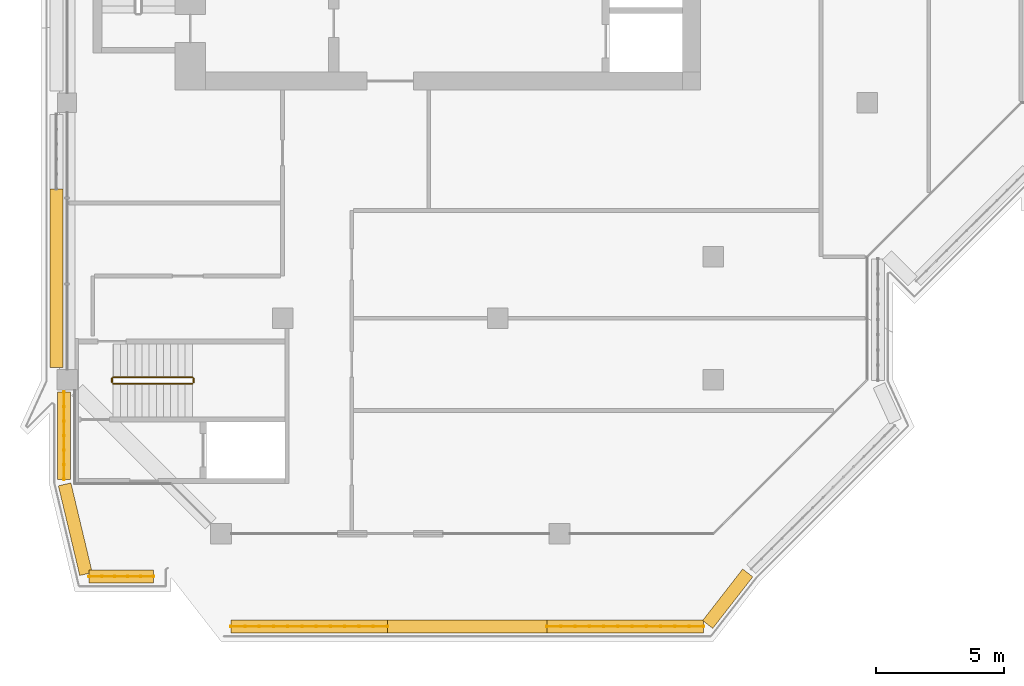
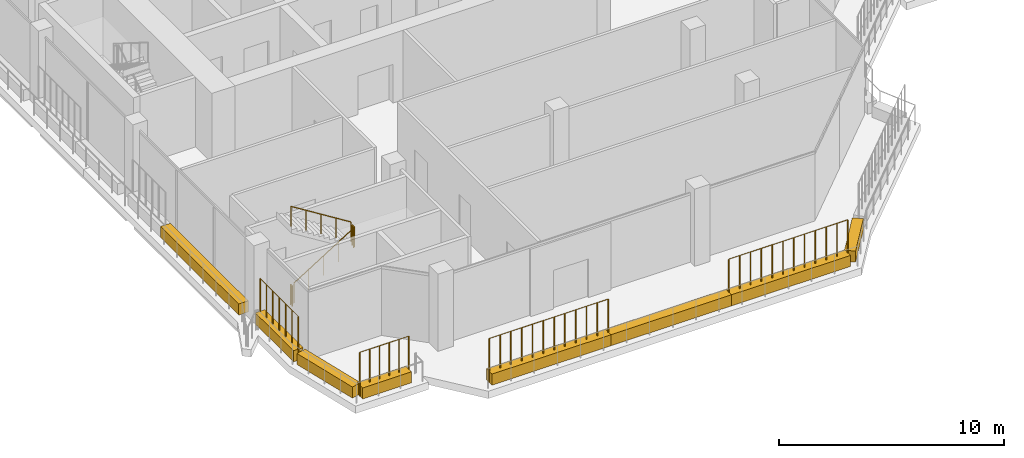
# One storey, part 14 of 20: 8 coverings, 8 railings.
"""IFC4 building model written with IfcOpenShell, lengths in metres."""

from ifc_helpers import new_model, si_unit, direction, frame, origin, origin_2d, place, context, subcontext, project, spatial, rectangle, circle, extrude, material, material_profile, profile_set, type_object, element, save


model = new_model("IFC4")

# Units and contexts
model_context = context("Model", 3, precision=1e-05, world=origin(), true_north=direction((0.0, 1.0)))
body_context = subcontext(model_context, "Body", "Model", "MODEL_VIEW")
ifc_project = project(units=[si_unit("LENGTHUNIT", "METRE"), si_unit("AREAUNIT", "SQUARE_METRE"), si_unit("VOLUMEUNIT", "CUBIC_METRE"), si_unit("PLANEANGLEUNIT", "RADIAN"), si_unit("MASSUNIT", "GRAM", prefix="KILO")], contexts=[model_context])

# Site, building, storey
site_placement = place(None, origin())
site = spatial("IfcSite", under=ifc_project, at=site_placement, CompositionType="ELEMENT")
building_placement = place(site_placement, origin())
building = spatial("IfcBuilding", under=site, at=building_placement, Name="Kawkab Arch Medical Tower", CompositionType="ELEMENT")
storey_placement = place(building_placement, frame((0.0, 0.0, 328.0)))
storey = spatial("IfcBuildingStorey", under=building, at=storey_placement, Name="L76", CompositionType="ELEMENT", Elevation=328.0)

# Coverings
ifc_material_1 = material(Name="Planting soil in a precast trough", Category="concrete")
ifc_material_profile = material_profile(ifc_material_1, rectangle(XDim=0.5, YDim=0.60009765625, at=origin_2d()), Name="Trough 500x600")
ifc_profile_set = profile_set([ifc_material_profile], Name="Planting soil in a precast trough")
covering_type = type_object("IfcCoveringType", Name="Planter trough 500 x 600", PredefinedType="USERDEFINED", material=ifc_profile_set)
covering_1_placement = place(storey_placement, frame((3.3701171875, -43.669921875, 0.300048828125), z_axis=(-1.0, 0.0, 0.0), x_axis=(0.0, -1.0, 0.0)))
element("IfcCovering", 1, at=covering_1_placement, inside=storey, type_object=covering_type, Name="Planter L76.LOG-01-01.1", ObjectType="PLANTER", PredefinedType="USERDEFINED", context=body_context, shape_type="SweptSolid", body=[
    extrude(rectangle(XDim=0.5, YDim=0.60009765625, at=origin_2d()), origin(), (0.0, 0.0, 1.0), 2.51220703125),
])
covering_2_placement = place(storey_placement, frame((0.735107421875, -43.572998046875, 0.300048828125), z_axis=(-0.231660349642, 0.972796732315, 0.0), x_axis=(-0.972796732315, -0.231660349642, 0.0)))
element("IfcCovering", 2, at=covering_2_placement, inside=storey, type_object=covering_type, Name="Planter L76.LOG-01-01.2", ObjectType="PLANTER", PredefinedType="USERDEFINED", context=body_context, shape_type="SweptSolid", body=[
    extrude(rectangle(XDim=0.5, YDim=0.60009765625, at=origin_2d()), origin(), (0.0, 0.0, 1.0), 3.591552734375),
])
covering_3_placement = place(storey_placement, frame((-0.1201171875, -39.882080078125, 0.300048828125), z_axis=(0.0, 1.0, 0.0), x_axis=(-1.0, 0.0, 0.0)))
element("IfcCovering", 3, at=covering_3_placement, inside=storey, type_object=covering_type, Name="Planter L76.LOG-01-01.3", ObjectType="PLANTER", PredefinedType="USERDEFINED", context=body_context, shape_type="SweptSolid", body=[
    extrude(rectangle(XDim=0.5, YDim=0.60009765625, at=origin_2d()), origin(), (0.0, 0.0, 1.0), 3.402099609375),
])
covering_4_placement = place(storey_placement, frame((-0.419921875, -35.52001953125, 0.300048828125), z_axis=(0.0, 1.0, 0.0), x_axis=(-1.0, 0.0, 0.0)))
element("IfcCovering", 4, at=covering_4_placement, inside=storey, type_object=covering_type, Name="Planter L76.LOG-01-01.4", ObjectType="PLANTER", PredefinedType="USERDEFINED", context=body_context, shape_type="SweptSolid", body=[
    extrude(rectangle(XDim=0.5, YDim=0.60009765625, at=origin_2d()), origin(), (0.0, 0.0, 1.0), 6.95703125),
])
covering_5_placement = place(storey_placement, frame((26.541015625, -43.531982421875, 0.300048828125), z_axis=(-0.61404021143, -0.789274742246, 0.0), x_axis=(0.789274742246, -0.61404021143, 0.0)))
element("IfcCovering", 5, at=covering_5_placement, inside=storey, type_object=covering_type, Name="Planter L76.LOG-01-01.34", ObjectType="PLANTER", PredefinedType="USERDEFINED", context=body_context, shape_type="SweptSolid", body=[
    extrude(rectangle(XDim=0.5, YDim=0.60009765625, at=origin_2d()), origin(), (0.0, 0.0, 1.0), 2.54541015625),
])
covering_6_placement = place(storey_placement, frame((24.81591796875, -45.6201171875, 0.300048828125), z_axis=(-1.0, 0.0, 0.0), x_axis=(0.0, -1.0, 0.0)))
element("IfcCovering", 6, at=covering_6_placement, inside=storey, type_object=covering_type, Name="Planter L76.LOG-01-01.35", ObjectType="PLANTER", PredefinedType="USERDEFINED", context=body_context, shape_type="SweptSolid", body=[
    extrude(rectangle(XDim=0.5, YDim=0.60009765625, at=origin_2d()), origin(), (0.0, 0.0, 1.0), 6.11083984375),
])
covering_7_placement = place(storey_placement, frame((18.705078125, -45.6201171875, 0.300048828125), z_axis=(-1.0, 0.0, 0.0), x_axis=(0.0, -1.0, 0.0)))
element("IfcCovering", 7, at=covering_7_placement, inside=storey, type_object=covering_type, Name="Planter L76.LOG-01-01.36", ObjectType="PLANTER", PredefinedType="USERDEFINED", context=body_context, shape_type="SweptSolid", body=[
    extrude(rectangle(XDim=0.5, YDim=0.60009765625, at=origin_2d()), origin(), (0.0, 0.0, 1.0), 6.2099609375),
])
covering_8_placement = place(storey_placement, frame((12.4951171875, -45.6201171875, 0.300048828125), z_axis=(-1.0, 0.0, 0.0), x_axis=(0.0, -1.0, 0.0)))
element("IfcCovering", 8, at=covering_8_placement, inside=storey, type_object=covering_type, Name="Planter L76.LOG-01-01.37", ObjectType="PLANTER", PredefinedType="USERDEFINED", context=body_context, shape_type="SweptSolid", body=[
    extrude(rectangle(XDim=0.5, YDim=0.60009765625, at=origin_2d()), origin(), (0.0, 0.0, 1.0), 6.111083984375),
])

# Railings
ifc_material_2 = material(Name="Bronze anodised aluminium trellis for climbing plants", Category="aluminium")
railing_type_1 = type_object("IfcRailingType", Name="Planting trellis 2400", PredefinedType="USERDEFINED", material=ifc_material_2)
railing_1_placement = place(storey_placement, frame((3.3701171875, -43.669921875, 0.0)))
element("IfcRailing", 9, at=railing_1_placement, inside=storey, type_object=railing_type_1, Name="Planting trellis L76.LOG-01-01.1", ObjectType="TRELLIS", PredefinedType="USERDEFINED", context=body_context, shape_type="SweptSolid", body=[
    extrude(circle(Radius=0.01513671875, at=origin_2d()), frame((0.0, 0.0, 2.384765625), z_axis=(-1.0, 0.0, 0.0), x_axis=(0.0, -1.0, 0.0)), (0.0, 0.0, 1.0), 2.51220703125),
    extrude(circle(Radius=0.030029296875, at=origin_2d()), origin(), (0.0, 0.0, 1.0), 2.369873046875),
    extrude(circle(Radius=0.030029296875, at=origin_2d()), frame((-0.50244140625, 0.0, 0.0)), (0.0, 0.0, 1.0), 2.369873046875),
    extrude(circle(Radius=0.030029296875, at=origin_2d()), frame((-1.0048828125, 0.0, 0.0)), (0.0, 0.0, 1.0), 2.369873046875),
    extrude(circle(Radius=0.030029296875, at=origin_2d()), frame((-1.50732421875, 0.0, 0.0)), (0.0, 0.0, 1.0), 2.369873046875),
    extrude(circle(Radius=0.030029296875, at=origin_2d()), frame((-2.009765625, 0.0, 0.0)), (0.0, 0.0, 1.0), 2.369873046875),
    extrude(circle(Radius=0.030029296875, at=origin_2d()), frame((-2.51220703125, 0.0, 0.0)), (0.0, 0.0, 1.0), 2.369873046875),
])
railing_2_placement = place(storey_placement, frame((-0.1201171875, -39.882080078125, 0.0)))
element("IfcRailing", 10, at=railing_2_placement, inside=storey, type_object=railing_type_1, Name="Planting trellis L76.LOG-01-01.3", ObjectType="TRELLIS", PredefinedType="USERDEFINED", context=body_context, shape_type="SweptSolid", body=[
    extrude(circle(Radius=0.01513671875, at=origin_2d()), frame((0.0, 0.0, 2.384765625), z_axis=(0.0, 1.0, 0.0), x_axis=(-1.0, 0.0, 0.0)), (0.0, 0.0, 1.0), 3.402099609375),
    extrude(circle(Radius=0.030029296875, at=origin_2d()), origin(), (0.0, 0.0, 1.0), 2.369873046875),
    extrude(circle(Radius=0.030029296875, at=origin_2d()), frame((0.0, 0.56689453125, 0.0)), (0.0, 0.0, 1.0), 2.369873046875),
    extrude(circle(Radius=0.030029296875, at=origin_2d()), frame((0.0, 1.134033203125, 0.0)), (0.0, 0.0, 1.0), 2.369873046875),
    extrude(circle(Radius=0.030029296875, at=origin_2d()), frame((0.0, 1.701171875, 0.0)), (0.0, 0.0, 1.0), 2.369873046875),
    extrude(circle(Radius=0.030029296875, at=origin_2d()), frame((0.0, 2.26806640625, 0.0)), (0.0, 0.0, 1.0), 2.369873046875),
    extrude(circle(Radius=0.030029296875, at=origin_2d()), frame((0.0, 2.8349609375, 0.0)), (0.0, 0.0, 1.0), 2.369873046875),
    extrude(circle(Radius=0.030029296875, at=origin_2d()), frame((0.0, 3.402099609375, 0.0)), (0.0, 0.0, 1.0), 2.369873046875),
])
railing_3_placement = place(storey_placement, frame((24.81591796875, -45.6201171875, 0.0)))
element("IfcRailing", 11, at=railing_3_placement, inside=storey, type_object=railing_type_1, Name="Planting trellis L76.LOG-01-01.35", ObjectType="TRELLIS", PredefinedType="USERDEFINED", context=body_context, shape_type="SweptSolid", body=[
    extrude(circle(Radius=0.01513671875, at=origin_2d()), frame((0.0, 0.0, 2.384765625), z_axis=(-1.0, 0.0, 0.0), x_axis=(0.0, -1.0, 0.0)), (0.0, 0.0, 1.0), 6.11083984375),
    extrude(circle(Radius=0.030029296875, at=origin_2d()), origin(), (0.0, 0.0, 1.0), 2.369873046875),
    extrude(circle(Radius=0.030029296875, at=origin_2d()), frame((-0.555419921875, 0.0, 0.0)), (0.0, 0.0, 1.0), 2.369873046875),
    extrude(circle(Radius=0.030029296875, at=origin_2d()), frame((-1.111083984375, 0.0, 0.0)), (0.0, 0.0, 1.0), 2.369873046875),
    extrude(circle(Radius=0.030029296875, at=origin_2d()), frame((-1.66650390625, 0.0, 0.0)), (0.0, 0.0, 1.0), 2.369873046875),
    extrude(circle(Radius=0.030029296875, at=origin_2d()), frame((-2.22216796875, 0.0, 0.0)), (0.0, 0.0, 1.0), 2.369873046875),
    extrude(circle(Radius=0.030029296875, at=origin_2d()), frame((-2.777587890625, 0.0, 0.0)), (0.0, 0.0, 1.0), 2.369873046875),
    extrude(circle(Radius=0.030029296875, at=origin_2d()), frame((-3.333251953125, 0.0, 0.0)), (0.0, 0.0, 1.0), 2.369873046875),
    extrude(circle(Radius=0.030029296875, at=origin_2d()), frame((-3.888671875, 0.0, 0.0)), (0.0, 0.0, 1.0), 2.369873046875),
    extrude(circle(Radius=0.030029296875, at=origin_2d()), frame((-4.4443359375, 0.0, 0.0)), (0.0, 0.0, 1.0), 2.369873046875),
    extrude(circle(Radius=0.030029296875, at=origin_2d()), frame((-4.999755859375, 0.0, 0.0)), (0.0, 0.0, 1.0), 2.369873046875),
    extrude(circle(Radius=0.030029296875, at=origin_2d()), frame((-5.555419921875, 0.0, 0.0)), (0.0, 0.0, 1.0), 2.369873046875),
    extrude(circle(Radius=0.030029296875, at=origin_2d()), frame((-6.11083984375, 0.0, 0.0)), (0.0, 0.0, 1.0), 2.369873046875),
])
railing_4_placement = place(storey_placement, frame((12.4951171875, -45.6201171875, 0.0)))
element("IfcRailing", 12, at=railing_4_placement, inside=storey, type_object=railing_type_1, Name="Planting trellis L76.LOG-01-01.37", ObjectType="TRELLIS", PredefinedType="USERDEFINED", context=body_context, shape_type="SweptSolid", body=[
    extrude(circle(Radius=0.01513671875, at=origin_2d()), frame((0.0, 0.0, 2.384765625), z_axis=(-1.0, 0.0, 0.0), x_axis=(0.0, -1.0, 0.0)), (0.0, 0.0, 1.0), 6.111083984375),
    extrude(circle(Radius=0.030029296875, at=origin_2d()), origin(), (0.0, 0.0, 1.0), 2.369873046875),
    extrude(circle(Radius=0.030029296875, at=origin_2d()), frame((-0.5556640625, 0.0, 0.0)), (0.0, 0.0, 1.0), 2.369873046875),
    extrude(circle(Radius=0.030029296875, at=origin_2d()), frame((-1.111083984375, 0.0, 0.0)), (0.0, 0.0, 1.0), 2.369873046875),
    extrude(circle(Radius=0.030029296875, at=origin_2d()), frame((-1.666748046875, 0.0, 0.0)), (0.0, 0.0, 1.0), 2.369873046875),
    extrude(circle(Radius=0.030029296875, at=origin_2d()), frame((-2.22216796875, 0.0, 0.0)), (0.0, 0.0, 1.0), 2.369873046875),
    extrude(circle(Radius=0.030029296875, at=origin_2d()), frame((-2.77783203125, 0.0, 0.0)), (0.0, 0.0, 1.0), 2.369873046875),
    extrude(circle(Radius=0.030029296875, at=origin_2d()), frame((-3.333251953125, 0.0, 0.0)), (0.0, 0.0, 1.0), 2.369873046875),
    extrude(circle(Radius=0.030029296875, at=origin_2d()), frame((-3.888916015625, 0.0, 0.0)), (0.0, 0.0, 1.0), 2.369873046875),
    extrude(circle(Radius=0.030029296875, at=origin_2d()), frame((-4.4443359375, 0.0, 0.0)), (0.0, 0.0, 1.0), 2.369873046875),
    extrude(circle(Radius=0.030029296875, at=origin_2d()), frame((-5.0, 0.0, 0.0)), (0.0, 0.0, 1.0), 2.369873046875),
    extrude(circle(Radius=0.030029296875, at=origin_2d()), frame((-5.555419921875, 0.0, 0.0)), (0.0, 0.0, 1.0), 2.369873046875),
    extrude(circle(Radius=0.030029296875, at=origin_2d()), frame((-6.111083984375, 0.0, 0.0)), (0.0, 0.0, 1.0), 2.369873046875),
])
ifc_material_3 = material(Name="Stainless steel", Category="steel")
railing_type_2 = type_object("IfcRailingType", Name="Stair guard 1100", PredefinedType="GUARDRAIL", material=ifc_material_3)
railing_5_placement = place(storey_placement, frame((1.800048828125, -36.14990234375, 0.175048828125)))
element("IfcRailing", 13, at=railing_5_placement, inside=storey, type_object=railing_type_2, Name="L76 ST6 stair guard 1", PredefinedType="GUARDRAIL", context=body_context, shape_type="SweptSolid", body=[
    extrude(circle(Radius=0.02392578125, at=origin_2d()), frame((0.0, 0.0, 1.076171875), z_axis=(0.847979421464, 0.0, 0.530029150871), x_axis=(0.0, 1.0, 0.0)), (0.0, 0.0, 1.0), 3.632080078125),
    extrude(circle(Radius=0.02099609375, at=origin_2d()), origin(), (0.0, 0.0, 1.0), 1.052001953125),
    extrude(circle(Radius=0.02099609375, at=origin_2d()), frame((0.77001953125, 0.0, 0.481201171875)), (0.0, 0.0, 1.0), 1.052001953125),
    extrude(circle(Radius=0.02099609375, at=origin_2d()), frame((1.5400390625, 0.0, 0.96240234375)), (0.0, 0.0, 1.0), 1.052001953125),
    extrude(circle(Radius=0.02099609375, at=origin_2d()), frame((2.309814453125, 0.0, 1.44384765625)), (0.0, 0.0, 1.0), 1.052001953125),
    extrude(circle(Radius=0.02099609375, at=origin_2d()), frame((3.079833984375, 0.0, 1.925048828125)), (0.0, 0.0, 1.0), 1.052001953125),
])
railing_6_placement = place(storey_placement, frame((4.929931640625, -36.10009765625, 2.10009765625)))
element("IfcRailing", 14, at=railing_6_placement, inside=storey, type_object=railing_type_2, Name="L76 ST6 stair guard 2", PredefinedType="GUARDRAIL", context=body_context, shape_type="SweptSolid", body=[
    extrude(circle(Radius=0.02392578125, at=origin_2d()), frame((0.0, 0.0, 1.076171875), z_axis=(0.0, 1.0, 0.0), x_axis=(-1.0, 0.0, 0.0)), (0.0, 0.0, 1.0), 0.150146484375),
    extrude(circle(Radius=0.02099609375, at=origin_2d()), origin(), (0.0, 0.0, 1.0), 1.052001953125),
    extrude(circle(Radius=0.02099609375, at=origin_2d()), frame((0.0, 0.150146484375, 0.0)), (0.0, 0.0, 1.0), 1.052001953125),
])
railing_7_placement = place(storey_placement, frame((4.8798828125, -35.89990234375, 2.27490234375)))
element("IfcRailing", 15, at=railing_7_placement, inside=storey, type_object=railing_type_2, Name="L76 ST6 stair guard 3", PredefinedType="GUARDRAIL", context=body_context, shape_type="SweptSolid", body=[
    extrude(circle(Radius=0.02392578125, at=origin_2d()), frame((0.0, 0.0, 1.076171875), z_axis=(-0.847979421464, 0.0, 0.530029150871), x_axis=(0.0, -1.0, 0.0)), (0.0, 0.0, 1.0), 3.632080078125),
    extrude(circle(Radius=0.02099609375, at=origin_2d()), origin(), (0.0, 0.0, 1.0), 1.052001953125),
    extrude(circle(Radius=0.02099609375, at=origin_2d()), frame((-0.77001953125, 0.0, 0.481201171875)), (0.0, 0.0, 1.0), 1.052001953125),
    extrude(circle(Radius=0.02099609375, at=origin_2d()), frame((-1.5400390625, 0.0, 0.96240234375)), (0.0, 0.0, 1.0), 1.052001953125),
    extrude(circle(Radius=0.02099609375, at=origin_2d()), frame((-2.309814453125, 0.0, 1.44384765625)), (0.0, 0.0, 1.0), 1.052001953125),
    extrude(circle(Radius=0.02099609375, at=origin_2d()), frame((-3.079833984375, 0.0, 1.925048828125)), (0.0, 0.0, 1.0), 1.052001953125),
])
railing_8_placement = place(storey_placement, frame((1.75, -36.10009765625, 0.0)))
element("IfcRailing", 16, at=railing_8_placement, inside=storey, type_object=railing_type_2, Name="L76 ST6 stair guard 4", PredefinedType="GUARDRAIL", context=body_context, shape_type="SweptSolid", body=[
    extrude(circle(Radius=0.02392578125, at=origin_2d()), frame((0.0, 0.0, 1.076171875), z_axis=(0.0, 1.0, 0.0), x_axis=(-1.0, 0.0, 0.0)), (0.0, 0.0, 1.0), 0.150146484375),
    extrude(circle(Radius=0.02099609375, at=origin_2d()), origin(), (0.0, 0.0, 1.0), 1.052001953125),
    extrude(circle(Radius=0.02099609375, at=origin_2d()), frame((0.0, 0.150146484375, 0.0)), (0.0, 0.0, 1.0), 1.052001953125),
])

save(model, "model.ifc")
